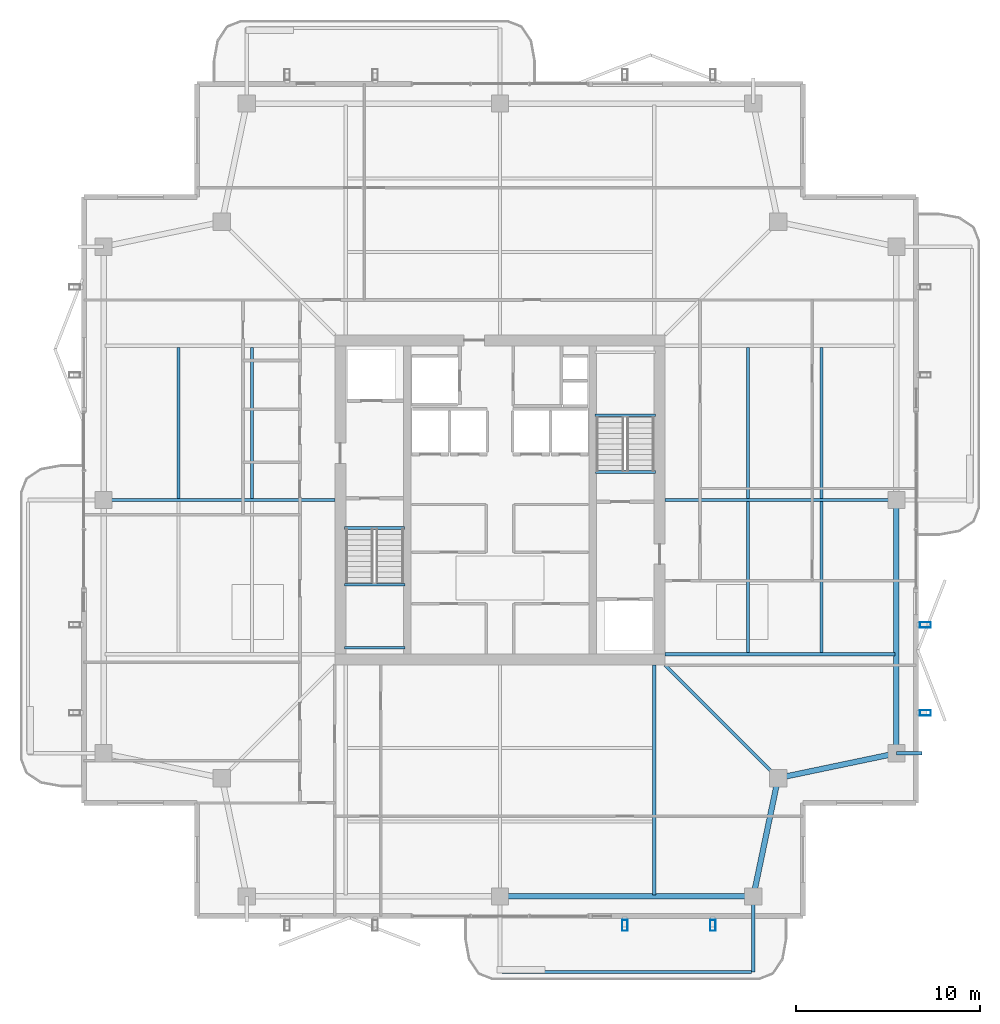
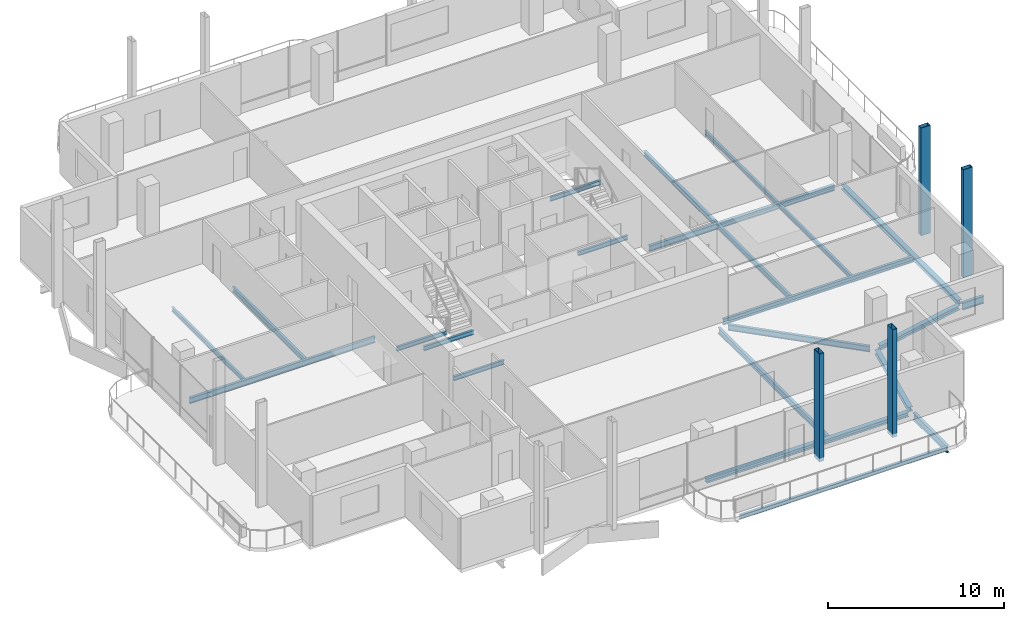
# One storey, part 8 of 20: 23 beams, 4 members.
"""IFC4 building model written with IfcOpenShell, lengths in metres."""

from ifc_helpers import new_model, si_unit, direction, frame, origin, origin_2d, place, context, subcontext, project, spatial, hollow_rectangle, i_section, extrude, material, material_profile, profile_set, type_object, element, save


model = new_model("IFC4")

# Units and contexts
model_context = context("Model", 3, precision=1e-05, world=origin(), true_north=direction((0.0, 1.0)))
body_context = subcontext(model_context, "Body", "Model", "MODEL_VIEW")
ifc_project = project(units=[si_unit("LENGTHUNIT", "METRE"), si_unit("AREAUNIT", "SQUARE_METRE"), si_unit("VOLUMEUNIT", "CUBIC_METRE"), si_unit("PLANEANGLEUNIT", "RADIAN"), si_unit("MASSUNIT", "GRAM", prefix="KILO")], contexts=[model_context])

# Site, building, storey
site_placement = place(None, origin())
site = spatial("IfcSite", under=ifc_project, at=site_placement, CompositionType="ELEMENT")
building_placement = place(site_placement, origin())
building = spatial("IfcBuilding", under=site, at=building_placement, Name="Belovzor Exchange Tower", CompositionType="ELEMENT")
storey_placement = place(building_placement, frame((0.0, 0.0, 321.75)))
storey = spatial("IfcBuildingStorey", under=building, at=storey_placement, Name="L80", CompositionType="ELEMENT", Elevation=321.75)

# Beams
ifc_material_1 = material(Name="Steel S355", Category="steel")
ifc_material_profile_1 = material_profile(ifc_material_1, i_section(OverallWidth=0.199951171875, OverallDepth=0.5, WebThickness=0.01025390625, FlangeThickness=0.01611328125, at=origin_2d()))
ifc_profile_set_1 = profile_set([ifc_material_profile_1], Name="Steel S355")
beam_type_1 = type_object("IfcBeamType", Name="Planted Balcony Cantilever Beam IPE 500", PredefinedType="BEAM", material=ifc_profile_set_1)
beam_1_placement = place(storey_placement, frame((42.60009765625, 6.93896484375, -0.489990234375), z_axis=(0.0, -1.0, 0.0), x_axis=(1.0, 0.0, 0.0)))
element("IfcBeam", 1, at=beam_1_placement, inside=storey, type_object=beam_type_1, Name="BC-500 Planted Balcony Cantilever Beam IPE 500", PredefinedType="BEAM", context=body_context, shape_type="SweptSolid", body=[
    extrude(i_section(OverallWidth=0.199951171875, OverallDepth=0.5, WebThickness=0.01025390625, FlangeThickness=0.01611328125, at=origin_2d()), origin(), (0.0, 0.0, 1.0), 3.849853515625),
])
beam_2_placement = place(storey_placement, frame((50.39990234375, 15.0, -0.489990234375), z_axis=(1.0, 0.0, 0.0), x_axis=(0.0, 1.0, 0.0)))
element("IfcBeam", 2, at=beam_2_placement, inside=storey, type_object=beam_type_1, Name="BC-500 Planted Balcony Cantilever Beam IPE 500", PredefinedType="BEAM", context=body_context, shape_type="SweptSolid", body=[
    extrude(i_section(OverallWidth=0.199951171875, OverallDepth=0.5, WebThickness=0.01025390625, FlangeThickness=0.01611328125, at=origin_2d()), origin(), (0.0, 0.0, 1.0), 1.400146484375),
])
ifc_material_2 = material(Name="Steel S355", Category="steel")
ifc_material_profile_2 = material_profile(ifc_material_2, i_section(OverallWidth=0.14990234375, OverallDepth=0.300048828125, WebThickness=0.007080078125, FlangeThickness=0.0107421875, at=origin_2d()))
ifc_profile_set_2 = profile_set([ifc_material_profile_2], Name="Steel S355")
beam_type_2 = type_object("IfcBeamType", Name="Planted Balcony Fascia Edge Beam IPE 300", PredefinedType="BEAM", material=ifc_profile_set_2)
beam_3_placement = place(storey_placement, frame((28.89990234375, 3.089111328125, -0.389892578125), z_axis=(1.0, 0.0, 0.0), x_axis=(0.0, 1.0, 0.0)))
element("IfcBeam", 3, at=beam_3_placement, inside=storey, type_object=beam_type_2, Name="BC-300 Planted Balcony Fascia Edge Beam IPE 300", PredefinedType="BEAM", context=body_context, shape_type="SweptSolid", body=[
    extrude(i_section(OverallWidth=0.14990234375, OverallDepth=0.300048828125, WebThickness=0.007080078125, FlangeThickness=0.0107421875, at=origin_2d()), origin(), (0.0, 0.0, 1.0), 13.60009765625),
])
ifc_material_3 = material(Name="Steel S355", Category="steel")
ifc_material_profile_3 = material_profile(ifc_material_3, i_section(OverallWidth=0.169921875, OverallDepth=0.360107421875, WebThickness=0.008056640625, FlangeThickness=0.0126953125, at=origin_2d()))
ifc_profile_set_3 = profile_set([ifc_material_profile_3], Name="Steel S355")
beam_type_3 = type_object("IfcBeamType", Name="Secondary Infill Floor Joist IPE 360", PredefinedType="BEAM", material=ifc_profile_set_3)
beam_4_placement = place(storey_placement, frame((15.291015625, 28.889892578125, -0.419921875), z_axis=(0.0, 1.0, 0.0), x_axis=(-1.0, 0.0, 0.0)))
element("IfcBeam", 4, at=beam_4_placement, inside=storey, type_object=beam_type_3, Name="FJ-360 Secondary Infill Floor Joist IPE 360", PredefinedType="BEAM", context=body_context, shape_type="SweptSolid", body=[
    extrude(i_section(OverallWidth=0.169921875, OverallDepth=0.360107421875, WebThickness=0.008056640625, FlangeThickness=0.0126953125, at=origin_2d()), origin(), (0.0, 0.0, 1.0), 8.22021484375),
])
beam_5_placement = place(storey_placement, frame((42.30908203125, 20.489990234375, -0.419921875), z_axis=(0.0, 1.0, 0.0), x_axis=(-1.0, 0.0, 0.0)))
element("IfcBeam", 5, at=beam_5_placement, inside=storey, type_object=beam_type_3, Name="FJ-360 Secondary Infill Floor Joist IPE 360", PredefinedType="BEAM", context=body_context, shape_type="SweptSolid", body=[
    extrude(i_section(OverallWidth=0.169921875, OverallDepth=0.360107421875, WebThickness=0.008056640625, FlangeThickness=0.0126953125, at=origin_2d()), origin(), (0.0, 0.0, 1.0), 8.219970703125),
])
beam_6_placement = place(storey_placement, frame((42.30908203125, 28.889892578125, -0.419921875), z_axis=(0.0, 1.0, 0.0), x_axis=(-1.0, 0.0, 0.0)))
element("IfcBeam", 6, at=beam_6_placement, inside=storey, type_object=beam_type_3, Name="FJ-360 Secondary Infill Floor Joist IPE 360", PredefinedType="BEAM", context=body_context, shape_type="SweptSolid", body=[
    extrude(i_section(OverallWidth=0.169921875, OverallDepth=0.360107421875, WebThickness=0.008056640625, FlangeThickness=0.0126953125, at=origin_2d()), origin(), (0.0, 0.0, 1.0), 8.22021484375),
])
ifc_material_4 = material(Name="Steel S355", Category="steel")
ifc_material_profile_4 = material_profile(ifc_material_4, i_section(OverallWidth=0.14990234375, OverallDepth=0.300048828125, WebThickness=0.007080078125, FlangeThickness=0.0107421875, at=origin_2d()))
ifc_profile_set_4 = profile_set([ifc_material_profile_4], Name="Steel S355")
beam_type_4 = type_object("IfcBeamType", Name="Secondary Trim Floor Joist IPE 300", PredefinedType="BEAM", material=ifc_profile_set_4)
for number, where, z_axis, x_axis, name in (
    (7, (20.320068359375, 24.179931640625, 1.52490234375), (1.0, 0.0, 0.0), (0.0, 1.0, 0.0), "FJ-300 Secondary Trim Floor Joist IPE 300"),
    (8, (20.320068359375, 20.75, 1.52490234375), (1.0, 0.0, 0.0), (0.0, 1.0, 0.0), "FJ-300 Secondary Trim Floor Joist IPE 300"),
):
    element("IfcBeam", number, at=place(storey_placement, frame(where, z_axis=z_axis, x_axis=x_axis)), inside=storey, type_object=beam_type_4, Name=name, PredefinedType="BEAM", context=body_context, shape_type="SweptSolid", body=[
        extrude(i_section(OverallWidth=0.14990234375, OverallDepth=0.300048828125, WebThickness=0.007080078125, FlangeThickness=0.0107421875, at=origin_2d()), origin(), (0.0, 0.0, 1.0), 3.309814453125),
    ])
beam_7_placement = place(storey_placement, frame((20.340087890625, 27.280029296875, -0.389892578125), z_axis=(1.0, 0.0, 0.0), x_axis=(0.0, 1.0, 0.0)))
element("IfcBeam", 9, at=beam_7_placement, inside=storey, type_object=beam_type_4, Name="FJ-300 Secondary Trim Floor Joist IPE 300", PredefinedType="BEAM", context=body_context, shape_type="SweptSolid", body=[
    extrude(i_section(OverallWidth=0.14990234375, OverallDepth=0.300048828125, WebThickness=0.007080078125, FlangeThickness=0.0107421875, at=origin_2d()), origin(), (0.0, 0.0, 1.0), 3.27001953125),
])
beam_8_placement = place(storey_placement, frame((37.280029296875, 33.419921875, 1.52490234375), z_axis=(-1.0, 0.0, 0.0), x_axis=(0.0, -1.0, 0.0)))
element("IfcBeam", 10, at=beam_8_placement, inside=storey, type_object=beam_type_4, Name="FJ-300 Secondary Trim Floor Joist IPE 300", PredefinedType="BEAM", context=body_context, shape_type="SweptSolid", body=[
    extrude(i_section(OverallWidth=0.14990234375, OverallDepth=0.300048828125, WebThickness=0.007080078125, FlangeThickness=0.0107421875, at=origin_2d()), origin(), (0.0, 0.0, 1.0), 3.31005859375),
])
beam_9_placement = place(storey_placement, frame((37.260009765625, 30.320068359375, -0.389892578125), z_axis=(-1.0, 0.0, 0.0), x_axis=(0.0, -1.0, 0.0)))
element("IfcBeam", 11, at=beam_9_placement, inside=storey, type_object=beam_type_4, Name="FJ-300 Secondary Trim Floor Joist IPE 300", PredefinedType="BEAM", context=body_context, shape_type="SweptSolid", body=[
    extrude(i_section(OverallWidth=0.14990234375, OverallDepth=0.300048828125, WebThickness=0.007080078125, FlangeThickness=0.0107421875, at=origin_2d()), origin(), (0.0, 0.0, 1.0), 3.27001953125),
])
beam_10_placement = place(storey_placement, frame((11.282958984375, 28.889892578125, -0.389892578125), z_axis=(0.0, 1.0, 0.0), x_axis=(-1.0, 0.0, 0.0)))
element("IfcBeam", 12, at=beam_10_placement, inside=storey, type_object=beam_type_4, Name="FJ-300 Secondary Trim Floor Joist IPE 300", PredefinedType="BEAM", context=body_context, shape_type="SweptSolid", body=[
    extrude(i_section(OverallWidth=0.14990234375, OverallDepth=0.300048828125, WebThickness=0.007080078125, FlangeThickness=0.0107421875, at=origin_2d()), origin(), (0.0, 0.0, 1.0), 8.22021484375),
])
beam_11_placement = place(storey_placement, frame((46.31689453125, 20.489990234375, -0.389892578125), z_axis=(0.0, 1.0, 0.0), x_axis=(-1.0, 0.0, 0.0)))
element("IfcBeam", 13, at=beam_11_placement, inside=storey, type_object=beam_type_4, Name="FJ-300 Secondary Trim Floor Joist IPE 300", PredefinedType="BEAM", context=body_context, shape_type="SweptSolid", body=[
    extrude(i_section(OverallWidth=0.14990234375, OverallDepth=0.300048828125, WebThickness=0.007080078125, FlangeThickness=0.0107421875, at=origin_2d()), origin(), (0.0, 0.0, 1.0), 8.219970703125),
])
beam_12_placement = place(storey_placement, frame((46.31689453125, 28.889892578125, -0.389892578125), z_axis=(0.0, 1.0, 0.0), x_axis=(-1.0, 0.0, 0.0)))
element("IfcBeam", 14, at=beam_12_placement, inside=storey, type_object=beam_type_4, Name="FJ-300 Secondary Trim Floor Joist IPE 300", PredefinedType="BEAM", context=body_context, shape_type="SweptSolid", body=[
    extrude(i_section(OverallWidth=0.14990234375, OverallDepth=0.300048828125, WebThickness=0.007080078125, FlangeThickness=0.0107421875, at=origin_2d()), origin(), (0.0, 0.0, 1.0), 8.22021484375),
])

# Members
ifc_material_5 = material(Name="Extruded Architectural Terracotta on Steel S355 Carrier", Category="masonry")
ifc_material_profile_5 = material_profile(ifc_material_5, hollow_rectangle(XDim=0.300048828125, YDim=0.60009765625, WallThickness=0.01611328125, at=origin_2d()))
ifc_profile_set_5 = profile_set([ifc_material_profile_5], Name="Extruded Architectural Terracotta on Steel S355 Carrier")
member_type = type_object("IfcMemberType", Name="Upper Crown Terracotta Fin Assembly 550", PredefinedType="USERDEFINED", material=ifc_profile_set_5)
for number, where, z_axis, x_axis, name in (
    (15, (51.97509765625, 17.199951171875, -0.239990234375), (0.0, 0.0, 1.0), (0.0, 1.0, 0.0), "FIN-TC055 Terracotta Facade Fin L80 E1"),
    (16, (51.97509765625, 22.0, -0.239990234375), (0.0, 0.0, 1.0), (0.0, 1.0, 0.0), "FIN-TC055 Terracotta Facade Fin L80 E2"),
    (17, (35.60009765625, 5.625, -0.239990234375), (0.0, 0.0, 1.0), (1.0, 0.0, 0.0), "FIN-TC055 Terracotta Facade Fin L80 S3"),
    (18, (40.39990234375, 5.625, -0.239990234375), (0.0, 0.0, 1.0), (1.0, 0.0, 0.0), "FIN-TC055 Terracotta Facade Fin L80 S4"),
):
    element("IfcMember", number, at=place(storey_placement, frame(where, z_axis=z_axis, x_axis=x_axis)), inside=storey, type_object=member_type, Name=name, ObjectType="FIN", PredefinedType="USERDEFINED", context=body_context, shape_type="SweptSolid", body=[
        extrude(hollow_rectangle(XDim=0.300048828125, YDim=0.60009765625, WallThickness=0.01611328125, at=origin_2d()), origin(), (0.0, 0.0, 1.0), 7.5),
    ])

# Beams
ifc_material_6 = material(Name="Steel S355", Category="steel")
ifc_material_profile_6 = material_profile(ifc_material_6, i_section(OverallWidth=0.179931640625, OverallDepth=0.39990234375, WebThickness=0.008544921875, FlangeThickness=0.013427734375, at=origin_2d()))
ifc_profile_set_6 = profile_set([ifc_material_profile_6], Name="Steel S355")
beam_type_5 = type_object("IfcBeamType", Name="Zone 5-6 Radial Composite Floor Beam IPE 400", PredefinedType="BEAM", material=ifc_profile_set_6)
beam_13_placement = place(storey_placement, frame((37.199951171875, 19.800048828125, -0.43994140625), z_axis=(0.0, -1.0, 0.0), x_axis=(1.0, 0.0, 0.0)))
element("IfcBeam", 19, at=beam_13_placement, inside=storey, type_object=beam_type_5, Name="FB-400 Zone 5-6 Radial Composite Floor Beam IPE 400", PredefinedType="BEAM", context=body_context, shape_type="SweptSolid", body=[
    extrude(i_section(OverallWidth=0.179931640625, OverallDepth=0.39990234375, WebThickness=0.008544921875, FlangeThickness=0.013427734375, at=origin_2d()), origin(), (0.0, 0.0, 1.0), 12.525146484375),
])
beam_14_placement = place(storey_placement, frame((19.800048828125, 28.800048828125, -0.43994140625), z_axis=(-1.0, 0.0, 0.0), x_axis=(0.0, -1.0, 0.0)))
element("IfcBeam", 20, at=beam_14_placement, inside=storey, type_object=beam_type_5, Name="FB-400 Zone 5-6 Radial Composite Floor Beam IPE 400", PredefinedType="BEAM", context=body_context, shape_type="SweptSolid", body=[
    extrude(i_section(OverallWidth=0.179931640625, OverallDepth=0.39990234375, WebThickness=0.008544921875, FlangeThickness=0.013427734375, at=origin_2d()), origin(), (0.0, 0.0, 1.0), 12.18212890625),
])
beam_15_placement = place(storey_placement, frame((37.800048828125, 20.39990234375, -0.43994140625), z_axis=(1.0, 0.0, 0.0), x_axis=(0.0, 1.0, 0.0)))
element("IfcBeam", 21, at=beam_15_placement, inside=storey, type_object=beam_type_5, Name="FB-400 Zone 5-6 Radial Composite Floor Beam IPE 400", PredefinedType="BEAM", context=body_context, shape_type="SweptSolid", body=[
    extrude(i_section(OverallWidth=0.179931640625, OverallDepth=0.39990234375, WebThickness=0.008544921875, FlangeThickness=0.013427734375, at=origin_2d()), origin(), (0.0, 0.0, 1.0), 12.52490234375),
])
beam_16_placement = place(storey_placement, frame((37.800048828125, 28.800048828125, -0.43994140625), z_axis=(1.0, 0.0, 0.0), x_axis=(0.0, 1.0, 0.0)))
element("IfcBeam", 22, at=beam_16_placement, inside=storey, type_object=beam_type_5, Name="FB-400 Zone 5-6 Radial Composite Floor Beam IPE 400", PredefinedType="BEAM", context=body_context, shape_type="SweptSolid", body=[
    extrude(i_section(OverallWidth=0.179931640625, OverallDepth=0.39990234375, WebThickness=0.008544921875, FlangeThickness=0.013427734375, at=origin_2d()), origin(), (0.0, 0.0, 1.0), 12.181884765625),
])
beam_17_placement = place(storey_placement, frame((37.800048828125, 19.800048828125, -0.43994140625), z_axis=(0.707150577091, -0.707062982569, 0.0), x_axis=(0.707062982569, 0.707150577091, 0.0)))
element("IfcBeam", 23, at=beam_17_placement, inside=storey, type_object=beam_type_5, Name="FB-400 Zone 5-6 Radial Composite Floor Beam IPE 400", PredefinedType="BEAM", context=body_context, shape_type="SweptSolid", body=[
    extrude(i_section(OverallWidth=0.179931640625, OverallDepth=0.39990234375, WebThickness=0.008544921875, FlangeThickness=0.013427734375, at=origin_2d()), origin(), (0.0, 0.0, 1.0), 8.361572265625),
])
ifc_material_7 = material(Name="Steel S355", Category="steel")
ifc_material_profile_7 = material_profile(ifc_material_7, i_section(OverallWidth=0.300048828125, OverallDepth=0.300048828125, WebThickness=0.008544921875, FlangeThickness=0.013916015625, at=origin_2d()))
ifc_profile_set_7 = profile_set([ifc_material_profile_7], Name="Steel S355")
beam_type_6 = type_object("IfcBeamType", Name="Zone 6 Primary Girder HEA 300", PredefinedType="BEAM", material=ifc_profile_set_7)
beam_18_placement = place(storey_placement, frame((29.06103515625, 7.199951171875, -0.389892578125), z_axis=(1.0, 0.0, 0.0), x_axis=(0.0, 1.0, 0.0)))
element("IfcBeam", 24, at=beam_18_placement, inside=storey, type_object=beam_type_6, Name="FG-Z6 Zone 6 Primary Girder HEA 300", PredefinedType="BEAM", context=body_context, shape_type="SweptSolid", body=[
    extrude(i_section(OverallWidth=0.300048828125, OverallDepth=0.300048828125, WebThickness=0.008544921875, FlangeThickness=0.013916015625, at=origin_2d()), origin(), (0.0, 0.0, 1.0), 13.278076171875),
])
for number, where, z_axis, x_axis, name in (
    (25, (42.654052734375, 7.4560546875, -0.389892578125), (0.204722380619, 0.978820078908, 0.0), (-0.978820078908, 0.204722380619, 0.0), "FG-Z6 Zone 6 Primary Girder HEA 300"),
    (26, (44.2060546875, 13.7041015625, -0.389892578125), (0.978820078908, 0.204722380619, 0.0), (-0.204722380619, 0.978820078908, 0.0), "FG-Z6 Zone 6 Primary Girder HEA 300"),
):
    element("IfcBeam", number, at=place(storey_placement, frame(where, z_axis=z_axis, x_axis=x_axis)), inside=storey, type_object=beam_type_6, Name=name, PredefinedType="BEAM", context=body_context, shape_type="SweptSolid", body=[
        extrude(i_section(OverallWidth=0.300048828125, OverallDepth=0.300048828125, WebThickness=0.008544921875, FlangeThickness=0.013916015625, at=origin_2d()), origin(), (0.0, 0.0, 1.0), 6.06640625),
    ])
beam_19_placement = place(storey_placement, frame((50.39990234375, 15.260986328125, -0.389892578125), z_axis=(0.0, 1.0, 0.0), x_axis=(-1.0, 0.0, 0.0)))
element("IfcBeam", 27, at=beam_19_placement, inside=storey, type_object=beam_type_6, Name="FG-Z6 Zone 6 Primary Girder HEA 300", PredefinedType="BEAM", context=body_context, shape_type="SweptSolid", body=[
    extrude(i_section(OverallWidth=0.300048828125, OverallDepth=0.300048828125, WebThickness=0.008544921875, FlangeThickness=0.013916015625, at=origin_2d()), origin(), (0.0, 0.0, 1.0), 13.278076171875),
])

save(model, "model.ifc")
